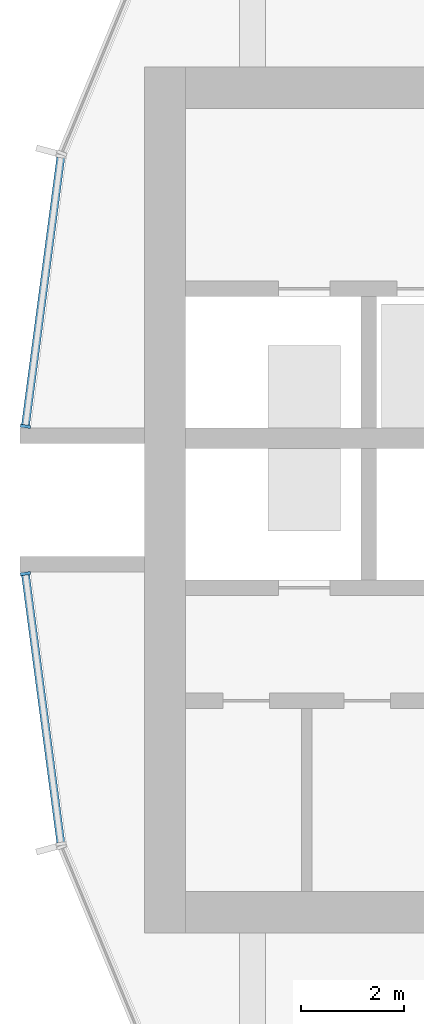
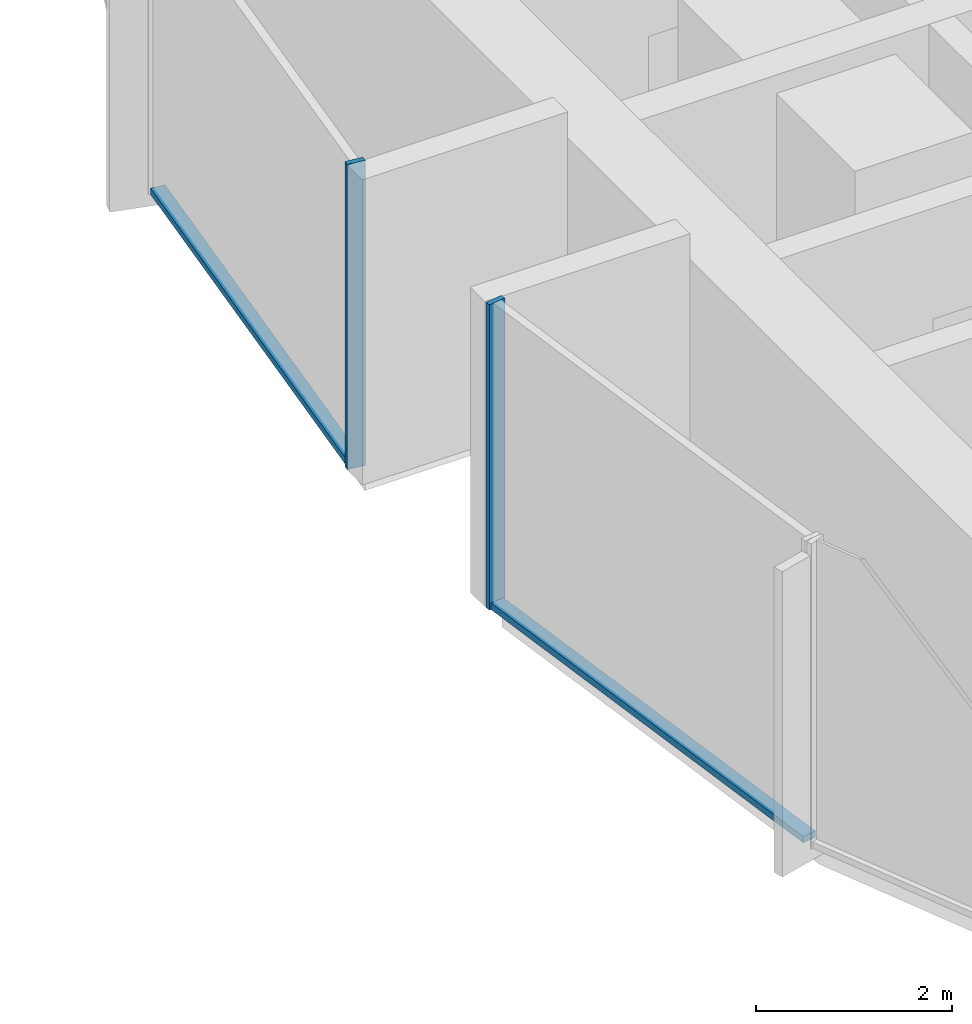
# One storey, part 3 of 15: 4 members, 2 elements without a shape of their own.
"""IFC4 building model written with IfcOpenShell, lengths in metres."""

from ifc_helpers import new_model, si_unit, direction, frame, origin, origin_2d, place, context, subcontext, project, spatial, rectangle, extrude, material, layer, layer_set, material_profile, profile_set, type_object, element, aggregate, save


model = new_model("IFC4")

# Units and contexts
model_context = context("Model", 3, precision=1e-05, world=origin(), true_north=direction((0.0, 1.0)))
body_context = subcontext(model_context, "Body", "Model", "MODEL_VIEW")
ifc_project = project(units=[si_unit("LENGTHUNIT", "METRE"), si_unit("AREAUNIT", "SQUARE_METRE"), si_unit("VOLUMEUNIT", "CUBIC_METRE"), si_unit("PLANEANGLEUNIT", "RADIAN"), si_unit("MASSUNIT", "GRAM", prefix="KILO")], contexts=[model_context])

# Site, building, storey
site_placement = place(None, origin())
site = spatial("IfcSite", under=ifc_project, at=site_placement, CompositionType="ELEMENT")
building_placement = place(site_placement, origin())
building = spatial("IfcBuilding", under=site, at=building_placement, Name="Torre Brocal", CompositionType="ELEMENT")
storey_placement = place(building_placement, frame((0.0, 0.0, 82.39990234375)))
storey = spatial("IfcBuildingStorey", under=building, at=storey_placement, Name="L18", CompositionType="ELEMENT", Elevation=82.39990234375)

# Curtain wall, member
ifc_material_1 = material(Name="Aluminium and glass", Category="aluminium")
ifc_layer = layer(ifc_material_1, 0.199951171875)
ifc_layer_set = layer_set([ifc_layer], Name="Aluminium and glass")
curtain_wall_type = type_object("IfcCurtainWallType", Name="CW-1B CURTAIN WALL 3800 HIGH", PredefinedType="NOTDEFINED", material=ifc_layer_set)
curtain_wall_1_placement = place(storey_placement, origin())
curtain_wall_1 = element("IfcCurtainWall", 1, at=curtain_wall_1_placement, inside=storey, type_object=curtain_wall_type, Name="CW-1B RUN 12", PredefinedType="NOTDEFINED")
ifc_material_2 = material(Name="Aluminium, dark anodised", Category="aluminium")
ifc_material_profile_1 = material_profile(ifc_material_2, rectangle(XDim=0.199951171875, YDim=0.06005859375, at=origin_2d()), Name="CW-1B MULLION 60X200")
ifc_profile_set_1 = profile_set([ifc_material_profile_1], Name="Aluminium, dark anodised")
member_type_1 = type_object("IfcMemberType", Name="CW-1B MULLION 60X200", PredefinedType="MULLION", material=ifc_profile_set_1)
member_1_placement = place(storey_placement, frame((54.2890625, 76.4296875, 0.0), z_axis=(0.0, 0.0, 1.0), x_axis=(0.991444861374, -0.13052619222, 0.0)))
member_1 = element("IfcMember", 2, at=member_1_placement, type_object=member_type_1, Name="CW1B-1 mullion 2", PredefinedType="MULLION", context=body_context, shape_type="SweptSolid", body=[
    extrude(rectangle(XDim=0.199951171875, YDim=0.06005859375, at=origin_2d()), origin(), (0.0, 0.0, 1.0), 3.800048828125),
])

curtain_wall_2_placement = place(storey_placement, origin())
curtain_wall_2 = element("IfcCurtainWall", 3, at=curtain_wall_2_placement, inside=storey, type_object=curtain_wall_type, Name="CW-1B RUN 13", PredefinedType="NOTDEFINED")
member_2_placement = place(storey_placement, frame((54.2890625, 73.5703125, 0.0), z_axis=(0.0, 0.0, 1.0), x_axis=(0.991444861374, 0.13052619222, 0.0)))
member_2 = element("IfcMember", 4, at=member_2_placement, type_object=member_type_1, Name="CW1B-1 mullion 1", PredefinedType="MULLION", context=body_context, shape_type="SweptSolid", body=[
    extrude(rectangle(XDim=0.199951171875, YDim=0.06005859375, at=origin_2d()), origin(), (0.0, 0.0, 1.0), 3.800048828125),
])

# Member
ifc_material_3 = material(Name="Aluminium, dark anodised", Category="aluminium")
ifc_material_profile_2 = material_profile(ifc_material_3, rectangle(XDim=0.159912109375, YDim=0.080078125, at=origin_2d()), Name="CW-1B TRANSOM 160X80")
ifc_profile_set_2 = profile_set([ifc_material_profile_2], Name="Aluminium, dark anodised")
member_type_2 = type_object("IfcMemberType", Name="CW-1B TRANSOM 160X80", PredefinedType="USERDEFINED", material=ifc_profile_set_2)
member_3_placement = place(storey_placement, frame((54.9755859375, 81.643798828125, 0.0400390625), z_axis=(-0.130542677827, -0.991442690863, 0.0), x_axis=(0.991442690863, -0.130542677827, 0.0)))
member_3 = element("IfcMember", 5, at=member_3_placement, type_object=member_type_2, Name="CW1B-1 transom 1.1", ObjectType="TRANSOM", PredefinedType="USERDEFINED", context=body_context, shape_type="SweptSolid", body=[
    extrude(rectangle(XDim=0.159912109375, YDim=0.080078125, at=origin_2d()), origin(), (0.0, 0.0, 1.0), 5.22900390625),
])

aggregate(curtain_wall_1, [member_1, member_3])

member_4_placement = place(storey_placement, frame((54.29296875, 73.54052734375, 0.0400390625), z_axis=(0.130542677827, -0.991442690863, 0.0), x_axis=(0.991442690863, 0.130542677827, 0.0)))
member_4 = element("IfcMember", 6, at=member_4_placement, type_object=member_type_2, Name="CW1B-1 transom 1.1", ObjectType="TRANSOM", PredefinedType="USERDEFINED", context=body_context, shape_type="SweptSolid", body=[
    extrude(rectangle(XDim=0.159912109375, YDim=0.080078125, at=origin_2d()), origin(), (0.0, 0.0, 1.0), 5.22900390625),
])

aggregate(curtain_wall_2, [member_2, member_4])

save(model, "model.ifc")
